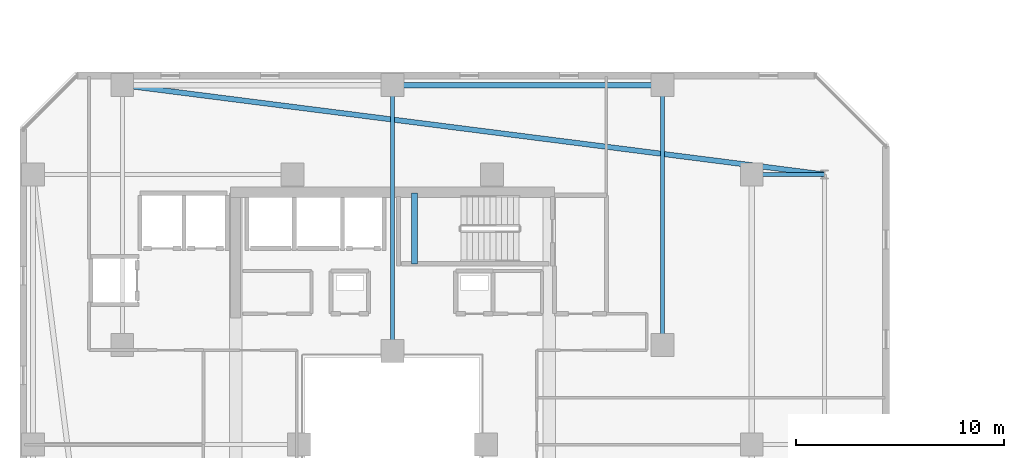
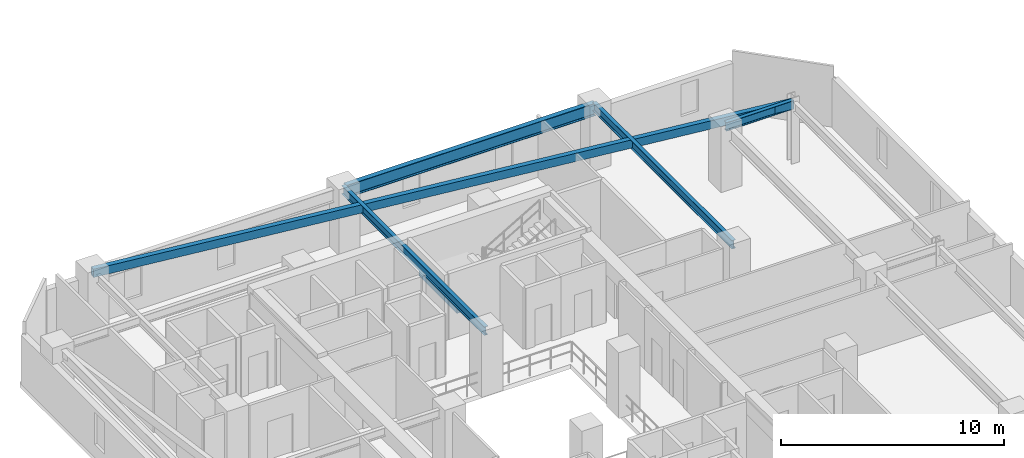
# One storey, part 9 of 33: 6 beams.
"""IFC4 building model written with IfcOpenShell, lengths in metres."""

from ifc_helpers import new_model, si_unit, direction, frame, origin, origin_2d, place, context, subcontext, project, spatial, rectangle, hollow_rectangle, i_section, extrude, material, material_profile, profile_set, type_object, element, save


model = new_model("IFC4")

# Units and contexts
model_context = context("Model", 3, precision=1e-05, world=origin(), true_north=direction((0.0, 1.0)))
body_context = subcontext(model_context, "Body", "Model", "MODEL_VIEW")
ifc_project = project(units=[si_unit("LENGTHUNIT", "METRE"), si_unit("AREAUNIT", "SQUARE_METRE"), si_unit("VOLUMEUNIT", "CUBIC_METRE"), si_unit("PLANEANGLEUNIT", "RADIAN"), si_unit("MASSUNIT", "GRAM", prefix="KILO")], contexts=[model_context])

# Site, building, storey
site_placement = place(None, origin())
site = spatial("IfcSite", under=ifc_project, at=site_placement, CompositionType="ELEMENT")
building_placement = place(site_placement, origin())
building = spatial("IfcBuilding", under=site, at=building_placement, Name="Thornwick Lancets Civic Towers", CompositionType="ELEMENT")
storey_placement = place(building_placement, frame((0.0, 0.0, 159.89990234375)))
storey = spatial("IfcBuildingStorey", under=building, at=storey_placement, Name="L42", CompositionType="ELEMENT", Elevation=159.89990234375)

# Beams
ifc_material_1 = material(Name="Steel S355JR", Category="steel")
ifc_material_profile_1 = material_profile(ifc_material_1, i_section(OverallWidth=0.255859375, OverallDepth=0.69287109375, WebThickness=0.014404296875, FlangeThickness=0.023681640625, FilletRadius=0.01513671875, at=origin_2d()), Name="UKB 686x254x170")
ifc_profile_set_1 = profile_set([ifc_material_profile_1], Name="Steel S355JR")
beam_type_1 = type_object("IfcBeamType", Name="BM_GIRD_686_170", PredefinedType="BEAM", material=ifc_profile_set_1)
beam_1_placement = place(storey_placement, frame((25.580078125, 44.300048828125, 3.013671875), z_axis=(1.0, 0.0, 0.0), x_axis=(0.0, 1.0, 0.0)))
element("IfcBeam", 1, at=beam_1_placement, inside=storey, type_object=beam_type_1, Name="BM-SPINE-L42-A-7-8", PredefinedType="BEAM", context=body_context, shape_type="SweptSolid", body=[
    extrude(i_section(OverallWidth=0.255859375, OverallDepth=0.69287109375, WebThickness=0.014404296875, FlangeThickness=0.023681640625, FilletRadius=0.01513671875, at=origin_2d()), origin(), (0.0, 0.0, 1.0), 12.919921875),
])
ifc_material_profile_2 = material_profile(ifc_material_1, i_section(OverallWidth=0.19287109375, OverallDepth=0.46728515625, WebThickness=0.011474609375, FlangeThickness=0.01953125, FilletRadius=0.01025390625, at=origin_2d()), Name="UKB 457x191x98")
ifc_profile_set_2 = profile_set([ifc_material_profile_2], Name="Steel S355JR")
beam_type_2 = type_object("IfcBeamType", Name="BM_JOIST_457_98", PredefinedType="JOIST", material=ifc_profile_set_2)
beam_2_placement = place(storey_placement, frame((42.800048828125, 40.0, 3.12646484375), z_axis=(1.0, 0.0, 0.0), x_axis=(0.0, 1.0, 0.0)))
element("IfcBeam", 2, at=beam_2_placement, inside=storey, type_object=beam_type_2, Name="BM-RAD-L42-A06", PredefinedType="JOIST", context=body_context, shape_type="SweptSolid", body=[
    extrude(i_section(OverallWidth=0.19287109375, OverallDepth=0.46728515625, WebThickness=0.011474609375, FlangeThickness=0.01953125, FilletRadius=0.01025390625, at=origin_2d()), origin(), (0.0, 0.0, 1.0), 3.5),
])
beam_3_placement = place(storey_placement, frame((25.5, 31.5, 3.12646484375), z_axis=(0.0, 1.0, 0.0), x_axis=(-1.0, 0.0, 0.0)))
element("IfcBeam", 3, at=beam_3_placement, inside=storey, type_object=beam_type_2, Name="BM-RADIN-L42-A08", PredefinedType="JOIST", context=body_context, shape_type="SweptSolid", body=[
    extrude(i_section(OverallWidth=0.19287109375, OverallDepth=0.46728515625, WebThickness=0.011474609375, FlangeThickness=0.01953125, FilletRadius=0.01025390625, at=origin_2d()), origin(), (0.0, 0.0, 1.0), 12.800048828125),
])
beam_4_placement = place(storey_placement, frame((38.5, 31.800048828125, 3.12646484375), z_axis=(0.0, 1.0, 0.0), x_axis=(-1.0, 0.0, 0.0)))
element("IfcBeam", 4, at=beam_4_placement, inside=storey, type_object=beam_type_2, Name="BM-RADIN-L42-A09", PredefinedType="JOIST", context=body_context, shape_type="SweptSolid", body=[
    extrude(i_section(OverallWidth=0.19287109375, OverallDepth=0.46728515625, WebThickness=0.011474609375, FlangeThickness=0.01953125, FilletRadius=0.01025390625, at=origin_2d()), origin(), (0.0, 0.0, 1.0), 12.5),
])
ifc_material_profile_3 = material_profile(ifc_material_1, hollow_rectangle(XDim=0.25, YDim=0.449951171875, WallThickness=0.01611328125, at=origin_2d()), Name="RHS 450x250x16")
ifc_profile_set_3 = profile_set([ifc_material_profile_3], Name="Steel S355JR")
beam_type_3 = type_object("IfcBeamType", Name="BM_RING_RHS450", PredefinedType="BEAM", material=ifc_profile_set_3)
beam_5_placement = place(storey_placement, frame((46.300048828125, 40.0, 3.135009765625), z_axis=(-0.992004437051, 0.126202998662, 0.0), x_axis=(-0.126202998662, -0.992004437051, 0.0)))
element("IfcBeam", 5, at=beam_5_placement, inside=storey, type_object=beam_type_3, Name="BM-CHAMF-L42-A-C1", PredefinedType="BEAM", context=body_context, shape_type="SweptSolid", body=[
    extrude(hollow_rectangle(XDim=0.25, YDim=0.449951171875, WallThickness=0.01611328125, at=origin_2d()), origin(), (0.0, 0.0, 1.0), 34.072509765625),
])
ifc_material_2 = material(Name="Concrete C40/50", Category="concrete")
ifc_material_profile_4 = material_profile(ifc_material_2, rectangle(XDim=0.300048828125, YDim=0.35009765625, at=origin_2d()), Name="RC 300x350")
ifc_profile_set_4 = profile_set([ifc_material_profile_4], Name="Concrete C40/50")
beam_type_4 = type_object("IfcBeamType", Name="BM_STAIR_LDG", PredefinedType="BEAM", material=ifc_profile_set_4)
beam_6_placement = place(storey_placement, frame((26.56494140625, 39.10009765625, 1.378173828125), z_axis=(0.0, -1.0, 0.0), x_axis=(1.0, 0.0, 0.0)))
element("IfcBeam", 6, at=beam_6_placement, inside=storey, type_object=beam_type_4, Name="L42 ST-A2 Landing Support Beam 1", PredefinedType="BEAM", context=body_context, shape_type="SweptSolid", body=[
    extrude(rectangle(XDim=0.300048828125, YDim=0.35009765625, at=origin_2d()), origin(), (0.0, 0.0, 1.0), 3.400146484375),
])

save(model, "model.ifc")
